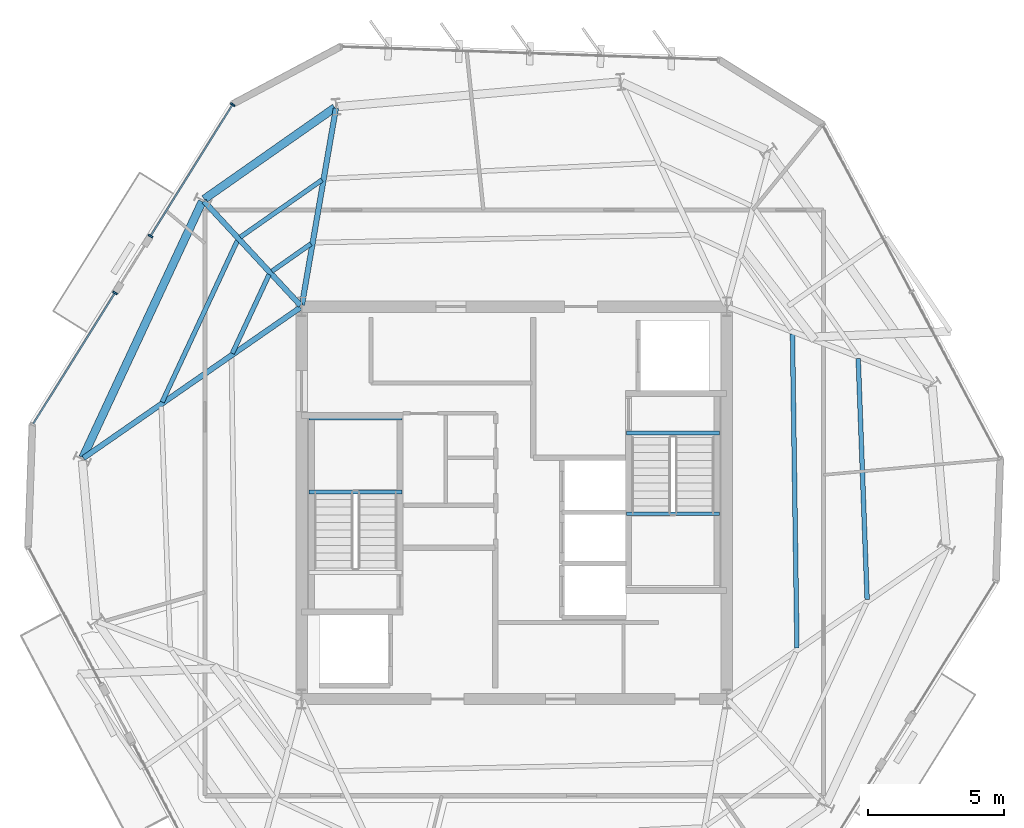
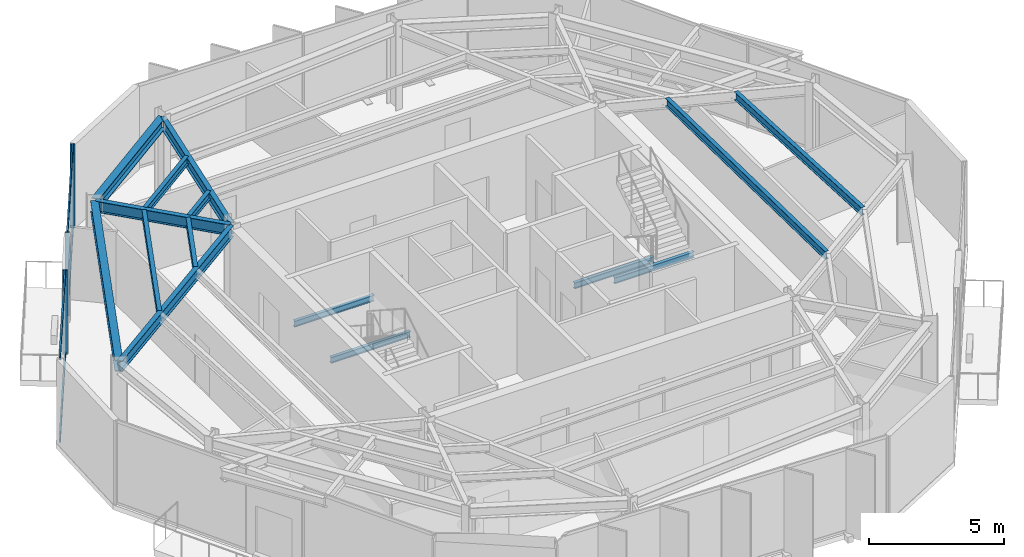
# One storey, part 4 of 12: 15 beams, 7 members, 2 elements without a shape of their own.
"""IFC4 building model written with IfcOpenShell, lengths in metres."""

from ifc_helpers import new_model, si_unit, direction, frame, origin, origin_2d, place, context, subcontext, project, spatial, rectangle, i_section, extrude, material, layer, layer_set, material_profile, profile_set, type_object, element, aggregate, save


model = new_model("IFC4")

# Units and contexts
model_context = context("Model", 3, precision=1e-05, world=origin(), true_north=direction((0.0, 1.0)))
body_context = subcontext(model_context, "Body", "Model", "MODEL_VIEW")
ifc_project = project(units=[si_unit("LENGTHUNIT", "METRE"), si_unit("AREAUNIT", "SQUARE_METRE"), si_unit("VOLUMEUNIT", "CUBIC_METRE"), si_unit("PLANEANGLEUNIT", "RADIAN"), si_unit("MASSUNIT", "GRAM", prefix="KILO")], contexts=[model_context])

# Site, building, storey
site_placement = place(None, origin())
site = spatial("IfcSite", under=ifc_project, at=site_placement, CompositionType="ELEMENT")
building_placement = place(site_placement, origin())
building = spatial("IfcBuilding", under=site, at=building_placement, Name="Kranzbogen Civic Tower", CompositionType="ELEMENT")
storey_placement = place(building_placement, frame((0.0, 0.0, 258.199951171875)))
storey = spatial("IfcBuildingStorey", under=building, at=storey_placement, Name="L62", CompositionType="ELEMENT", Elevation=258.199951171875)

# Curtain wall, members
ifc_material_1 = material(Name="Pale Anodised Aluminium", Category="aluminium")
ifc_layer = layer(ifc_material_1, 0.219970703125, Name="Pale Anodised Aluminium")
ifc_layer_set = layer_set([ifc_layer], Name="Pale Anodised Aluminium")
curtain_wall_type = type_object("IfcCurtainWallType", Name="Zone 4 Stick Curtain Wall System CW-05", PredefinedType="USERDEFINED", material=ifc_layer_set)
curtain_wall_1_placement = place(storey_placement, origin())
curtain_wall_1 = element("IfcCurtainWall", 1, at=curtain_wall_1_placement, inside=storey, type_object=curtain_wall_type, Name="L62 curtain wall CW-L62-F2-S1", ObjectType="STICK CURTAIN WALL", PredefinedType="USERDEFINED")
ifc_material_profile_1 = material_profile(ifc_material_1, rectangle(XDim=0.06494140625, YDim=0.179931640625, at=origin_2d()), Name="ALU-M 65x180")
ifc_profile_set_1 = profile_set([ifc_material_profile_1], Name="Pale Anodised Aluminium")
member_type_1 = type_object("IfcMemberType", Name="Curtain Wall Mullion ALU-M 65x180", PredefinedType="MULLION", material=ifc_profile_set_1)
member_1_placement = place(storey_placement, frame((14.671142578125, 39.615478515625, 0.0), z_axis=(0.0, 0.0, 1.0), x_axis=(-0.52998331033, -0.848008072351, 0.0)))
member_1 = element("IfcMember", 2, at=member_1_placement, type_object=member_type_1, Name="CW-05 mullion 1", PredefinedType="MULLION", context=body_context, shape_type="SweptSolid", body=[
    extrude(rectangle(XDim=0.06494140625, YDim=0.179931640625, at=origin_2d()), origin(), (0.0, 0.0, 1.0), 3.780029296875),
])
member_2_placement = place(storey_placement, frame((11.65478515625, 34.78955078125, 0.0), z_axis=(0.0, 0.0, 1.0), x_axis=(-0.52998331033, -0.848008072351, 0.0)))
member_2 = element("IfcMember", 3, at=member_2_placement, type_object=member_type_1, Name="CW-05 mullion 2", PredefinedType="MULLION", context=body_context, shape_type="SweptSolid", body=[
    extrude(rectangle(XDim=0.06494140625, YDim=0.179931640625, at=origin_2d()), origin(), (0.0, 0.0, 1.0), 3.780029296875),
])

# Curtain wall, member
curtain_wall_2_placement = place(storey_placement, origin())
curtain_wall_2 = element("IfcCurtainWall", 4, at=curtain_wall_2_placement, inside=storey, type_object=curtain_wall_type, Name="L62 curtain wall CW-L62-F2-S2", ObjectType="STICK CURTAIN WALL", PredefinedType="USERDEFINED")
member_3_placement = place(storey_placement, frame((10.35205078125, 32.70361328125, 0.0), z_axis=(0.0, 0.0, 1.0), x_axis=(-0.52998331033, -0.848008072351, 0.0)))
member_3 = element("IfcMember", 5, at=member_3_placement, type_object=member_type_1, Name="CW-05 mullion 1", PredefinedType="MULLION", context=body_context, shape_type="SweptSolid", body=[
    extrude(rectangle(XDim=0.06494140625, YDim=0.179931640625, at=origin_2d()), origin(), (0.0, 0.0, 1.0), 3.780029296875),
])

# Member
ifc_material_profile_2 = material_profile(ifc_material_1, rectangle(XDim=0.06494140625, YDim=0.135009765625, at=origin_2d()), Name="ALU-T 65x135")
ifc_profile_set_2 = profile_set([ifc_material_profile_2], Name="Pale Anodised Aluminium")
member_type_2 = type_object("IfcMemberType", Name="Curtain Wall Transom ALU-T 65x135", PredefinedType="USERDEFINED", material=ifc_profile_set_2)
member_4_placement = place(storey_placement, frame((14.6552734375, 39.590087890625, 0.030029296875), z_axis=(-0.52998724837, -0.848005611164, 0.0), x_axis=(0.848005611164, -0.52998724837, 0.0)))
member_4 = element("IfcMember", 6, at=member_4_placement, type_object=member_type_2, Name="CW-05 transom 1.1", ObjectType="TRANSOM", PredefinedType="USERDEFINED", context=body_context, shape_type="SweptSolid", body=[
    extrude(rectangle(XDim=0.06494140625, YDim=0.135009765625, at=origin_2d()), origin(), (0.0, 0.0, 1.0), 5.631103515625),
])

member_5_placement = place(storey_placement, frame((14.6552734375, 39.590087890625, 3.75), z_axis=(-0.52998724837, -0.848005611164, 0.0), x_axis=(0.848005611164, -0.52998724837, 0.0)))
member_5 = element("IfcMember", 7, at=member_5_placement, type_object=member_type_2, Name="CW-05 transom 1.2", ObjectType="TRANSOM", PredefinedType="USERDEFINED", context=body_context, shape_type="SweptSolid", body=[
    extrude(rectangle(XDim=0.06494140625, YDim=0.135009765625, at=origin_2d()), origin(), (0.0, 0.0, 1.0), 5.631103515625),
])

aggregate(curtain_wall_1, [member_1, member_2, member_4, member_5])

member_6_placement = place(storey_placement, frame((10.336181640625, 32.67822265625, 0.030029296875), z_axis=(-0.529967763237, -0.848017788687, 0.0), x_axis=(0.848017788687, -0.529967763237, 0.0)))
member_6 = element("IfcMember", 8, at=member_6_placement, type_object=member_type_2, Name="CW-05 transom 1.1", ObjectType="TRANSOM", PredefinedType="USERDEFINED", context=body_context, shape_type="SweptSolid", body=[
    extrude(rectangle(XDim=0.06494140625, YDim=0.135009765625, at=origin_2d()), origin(), (0.0, 0.0, 1.0), 5.63134765625),
])

member_7_placement = place(storey_placement, frame((10.336181640625, 32.67822265625, 3.75), z_axis=(-0.529967763237, -0.848017788687, 0.0), x_axis=(0.848017788687, -0.529967763237, 0.0)))
member_7 = element("IfcMember", 9, at=member_7_placement, type_object=member_type_2, Name="CW-05 transom 1.2", ObjectType="TRANSOM", PredefinedType="USERDEFINED", context=body_context, shape_type="SweptSolid", body=[
    extrude(rectangle(XDim=0.06494140625, YDim=0.135009765625, at=origin_2d()), origin(), (0.0, 0.0, 1.0), 5.63134765625),
])

aggregate(curtain_wall_2, [member_3, member_6, member_7])

# Beams
ifc_material_2 = material(Name="Steel S355", Category="steel")
ifc_material_profile_3 = material_profile(ifc_material_2, i_section(OverallWidth=0.300048828125, OverallDepth=0.5, WebThickness=0.014404296875, FlangeThickness=0.028076171875, at=origin_2d()), Name="HEB 500")
ifc_profile_set_3 = profile_set([ifc_material_profile_3], Name="Steel S355")
beam_type_1 = type_object("IfcBeamType", Name="Perimeter Tube Spandrel Beam HEB 500", PredefinedType="SPANDREL", material=ifc_profile_set_3)
beam_1_placement = place(storey_placement, frame((18.41796875, 39.501953125, 3.530029296875), z_axis=(-0.819059436004, -0.57370867197, 0.0), x_axis=(0.57370867197, -0.819059436004, 0.0)))
element("IfcBeam", 10, at=beam_1_placement, inside=storey, type_object=beam_type_1, Name="L62 perimeter spandrel beam 10", PredefinedType="SPANDREL", context=body_context, shape_type="SweptSolid", body=[
    extrude(i_section(OverallWidth=0.300048828125, OverallDepth=0.5, WebThickness=0.014404296875, FlangeThickness=0.028076171875, at=origin_2d()), origin(), (0.0, 0.0, 1.0), 5.85302734375),
])
beam_2_placement = place(storey_placement, frame((13.550048828125, 36.055908203125, 3.530029296875), z_axis=(-0.422668780888, -0.906284227857, 0.0), x_axis=(0.906284227857, -0.422668780888, 0.0)))
element("IfcBeam", 11, at=beam_2_placement, inside=storey, type_object=beam_type_1, Name="L62 perimeter spandrel beam 11", PredefinedType="SPANDREL", context=body_context, shape_type="SweptSolid", body=[
    extrude(i_section(OverallWidth=0.300048828125, OverallDepth=0.5, WebThickness=0.014404296875, FlangeThickness=0.028076171875, at=origin_2d()), origin(), (0.0, 0.0, 1.0), 10.363037109375),
])
ifc_material_profile_4 = material_profile(ifc_material_2, i_section(OverallWidth=0.199951171875, OverallDepth=0.5, WebThickness=0.01025390625, FlangeThickness=0.01611328125, at=origin_2d()), Name="IPE 500")
ifc_profile_set_4 = profile_set([ifc_material_profile_4], Name="Steel S355")
beam_type_2 = type_object("IfcBeamType", Name="Radial Tower Floor Girder IPE 500", PredefinedType="BEAM", material=ifc_profile_set_4)
beam_3_placement = place(storey_placement, frame((18.45703125, 39.47705078125, 3.530029296875), z_axis=(-0.170249558486, -0.985400978199, 0.0), x_axis=(0.985400978199, -0.170249558486, 0.0)))
element("IfcBeam", 12, at=beam_3_placement, inside=storey, type_object=beam_type_2, Name="L62 radial floor girder 10", PredefinedType="BEAM", context=body_context, shape_type="SweptSolid", body=[
    extrude(i_section(OverallWidth=0.199951171875, OverallDepth=0.5, WebThickness=0.01025390625, FlangeThickness=0.01611328125, at=origin_2d()), origin(), (0.0, 0.0, 1.0), 7.324951171875),
])
beam_4_placement = place(storey_placement, frame((13.615966796875, 36.06591796875, 3.530029296875), z_axis=(0.679827353702, -0.733372190064, 0.0), x_axis=(0.733372190064, 0.679827353702, 0.0)))
element("IfcBeam", 13, at=beam_4_placement, inside=storey, type_object=beam_type_2, Name="L62 radial floor girder 11", PredefinedType="BEAM", context=body_context, shape_type="SweptSolid", body=[
    extrude(i_section(OverallWidth=0.199951171875, OverallDepth=0.5, WebThickness=0.01025390625, FlangeThickness=0.01611328125, at=origin_2d()), origin(), (0.0, 0.0, 1.0), 5.211669921875),
])
beam_5_placement = place(storey_placement, frame((9.194091796875, 26.64404296875, 3.530029296875), z_axis=(0.821542812331, 0.570146829779, 0.0), x_axis=(-0.570146829779, 0.821542812331, 0.0)))
element("IfcBeam", 14, at=beam_5_placement, inside=storey, type_object=beam_type_2, Name="L62 radial floor girder 12", PredefinedType="BEAM", context=body_context, shape_type="SweptSolid", body=[
    extrude(i_section(OverallWidth=0.199951171875, OverallDepth=0.5, WebThickness=0.01025390625, FlangeThickness=0.01611328125, at=origin_2d()), origin(), (0.0, 0.0, 1.0), 9.68505859375),
])
ifc_material_profile_5 = material_profile(ifc_material_2, i_section(OverallWidth=0.169921875, OverallDepth=0.360107421875, WebThickness=0.008056640625, FlangeThickness=0.0126953125, at=origin_2d()), Name="IPE 360")
ifc_profile_set_5 = profile_set([ifc_material_profile_5], Name="Steel S355")
beam_type_3 = type_object("IfcBeamType", Name="Secondary Composite Floor Joist IPE 360", PredefinedType="JOIST", material=ifc_profile_set_5)
beam_6_placement = place(storey_placement, frame((37.951904296875, 21.4580078125, 3.60009765625), z_axis=(-0.036992246074, 0.999315552631, 0.0), x_axis=(-0.999315552631, -0.036992246074, 0.0)))
element("IfcBeam", 15, at=beam_6_placement, inside=storey, type_object=beam_type_3, Name="L62 secondary floor joist 1.06", PredefinedType="JOIST", context=body_context, shape_type="SweptSolid", body=[
    extrude(i_section(OverallWidth=0.169921875, OverallDepth=0.360107421875, WebThickness=0.008056640625, FlangeThickness=0.0126953125, at=origin_2d()), origin(), (0.0, 0.0, 1.0), 8.837158203125),
])
beam_7_placement = place(storey_placement, frame((35.3759765625, 19.6689453125, 3.60009765625), z_axis=(-0.014221385906, 0.999898870978, 0.0), x_axis=(-0.999898870978, -0.014221385906, 0.0)))
element("IfcBeam", 16, at=beam_7_placement, inside=storey, type_object=beam_type_3, Name="L62 secondary floor joist 2.06", PredefinedType="JOIST", context=body_context, shape_type="SweptSolid", body=[
    extrude(i_section(OverallWidth=0.169921875, OverallDepth=0.360107421875, WebThickness=0.008056640625, FlangeThickness=0.0126953125, at=origin_2d()), origin(), (0.0, 0.0, 1.0), 11.536376953125),
])
beam_8_placement = place(storey_placement, frame((17.945068359375, 36.84912109375, 3.60009765625), z_axis=(-0.819006333711, -0.573784476385, 0.0), x_axis=(0.573784476385, -0.819006333711, 0.0)))
element("IfcBeam", 17, at=beam_8_placement, inside=storey, type_object=beam_type_3, Name="L62 secondary floor joist 1.10", PredefinedType="JOIST", context=body_context, shape_type="SweptSolid", body=[
    extrude(i_section(OverallWidth=0.169921875, OverallDepth=0.360107421875, WebThickness=0.008056640625, FlangeThickness=0.0126953125, at=origin_2d()), origin(), (0.0, 0.0, 1.0), 3.661865234375),
])
beam_9_placement = place(storey_placement, frame((17.5400390625, 34.501953125, 3.60009765625), z_axis=(-0.818956727849, -0.573855276103, 0.0), x_axis=(0.573855276103, -0.818956727849, 0.0)))
element("IfcBeam", 18, at=beam_9_placement, inside=storey, type_object=beam_type_3, Name="L62 secondary floor joist 2.10", PredefinedType="JOIST", context=body_context, shape_type="SweptSolid", body=[
    extrude(i_section(OverallWidth=0.169921875, OverallDepth=0.360107421875, WebThickness=0.008056640625, FlangeThickness=0.0126953125, at=origin_2d()), origin(), (0.0, 0.0, 1.0), 1.751220703125),
])
beam_10_placement = place(storey_placement, frame((14.845947265625, 34.6298828125, 3.60009765625), z_axis=(-0.422542528713, -0.906343098075, 0.0), x_axis=(0.906343098075, -0.422542528713, 0.0)))
element("IfcBeam", 19, at=beam_10_placement, inside=storey, type_object=beam_type_3, Name="L62 secondary floor joist 1.11", PredefinedType="JOIST", context=body_context, shape_type="SweptSolid", body=[
    extrude(i_section(OverallWidth=0.169921875, OverallDepth=0.360107421875, WebThickness=0.008056640625, FlangeThickness=0.0126953125, at=origin_2d()), origin(), (0.0, 0.0, 1.0), 6.548095703125),
])
beam_11_placement = place(storey_placement, frame((16.006103515625, 33.37890625, 3.60009765625), z_axis=(-0.422651143991, -0.906292453065, 0.0), x_axis=(0.906292453065, -0.422651143991, 0.0)))
element("IfcBeam", 20, at=beam_11_placement, inside=storey, type_object=beam_type_3, Name="L62 secondary floor joist 2.11", PredefinedType="JOIST", context=body_context, shape_type="SweptSolid", body=[
    extrude(i_section(OverallWidth=0.169921875, OverallDepth=0.360107421875, WebThickness=0.008056640625, FlangeThickness=0.0126953125, at=origin_2d()), origin(), (0.0, 0.0, 1.0), 3.1943359375),
])
ifc_material_profile_6 = material_profile(ifc_material_2, i_section(OverallWidth=0.135009765625, OverallDepth=0.27001953125, WebThickness=0.006591796875, FlangeThickness=0.01025390625, at=origin_2d()), Name="IPE 270")
ifc_profile_set_6 = profile_set([ifc_material_profile_6], Name="Steel S355")
beam_type_4 = type_object("IfcBeamType", Name="Stair Landing Support Beam IPE 270", PredefinedType="JOIST", material=ifc_profile_set_6)
for number, where, z_axis, x_axis, name in (
    (21, (20.8798828125, 25.39990234375, 1.6650390625), (-1.0, 0.0, 0.0), (0.0, -1.0, 0.0), "L62 ST-T1 landing support beam 1.1"),
    (22, (20.8798828125, 28.10009765625, 1.6650390625), (-1.0, 0.0, 0.0), (0.0, -1.0, 0.0), "L62 ST-T1 landing support beam 1.2"),
    (23, (29.1201171875, 27.56005859375, -0.35498046875), (1.0, 0.0, 0.0), (0.0, 1.0, 0.0), "L62 ST-T2 stair floor header beam"),
    (24, (29.1201171875, 24.60009765625, 1.6650390625), (1.0, 0.0, 0.0), (0.0, 1.0, 0.0), "L62 ST-T2 landing support beam 1.1"),
):
    element("IfcBeam", number, at=place(storey_placement, frame(where, z_axis=z_axis, x_axis=x_axis)), inside=storey, type_object=beam_type_4, Name=name, PredefinedType="JOIST", context=body_context, shape_type="SweptSolid", body=[
        extrude(i_section(OverallWidth=0.135009765625, OverallDepth=0.27001953125, WebThickness=0.006591796875, FlangeThickness=0.01025390625, at=origin_2d()), origin(), (0.0, 0.0, 1.0), 3.409912109375),
    ])

save(model, "model.ifc")
